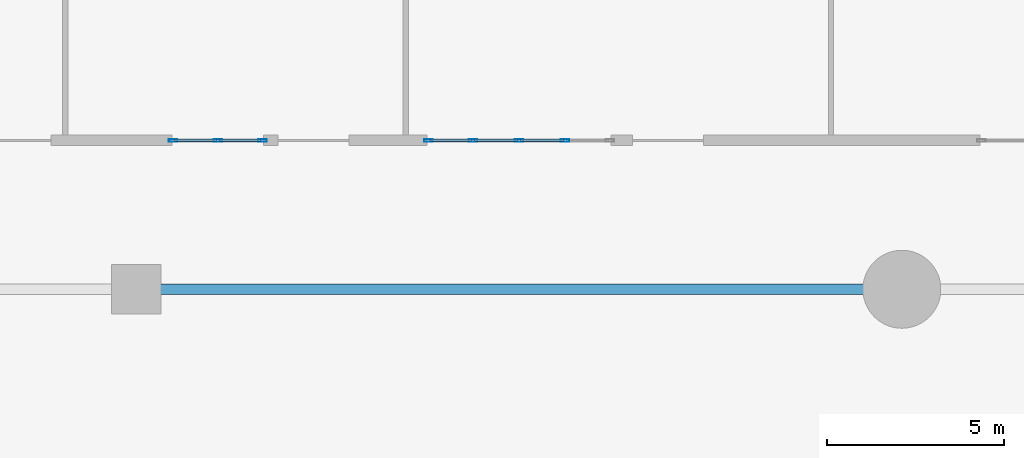
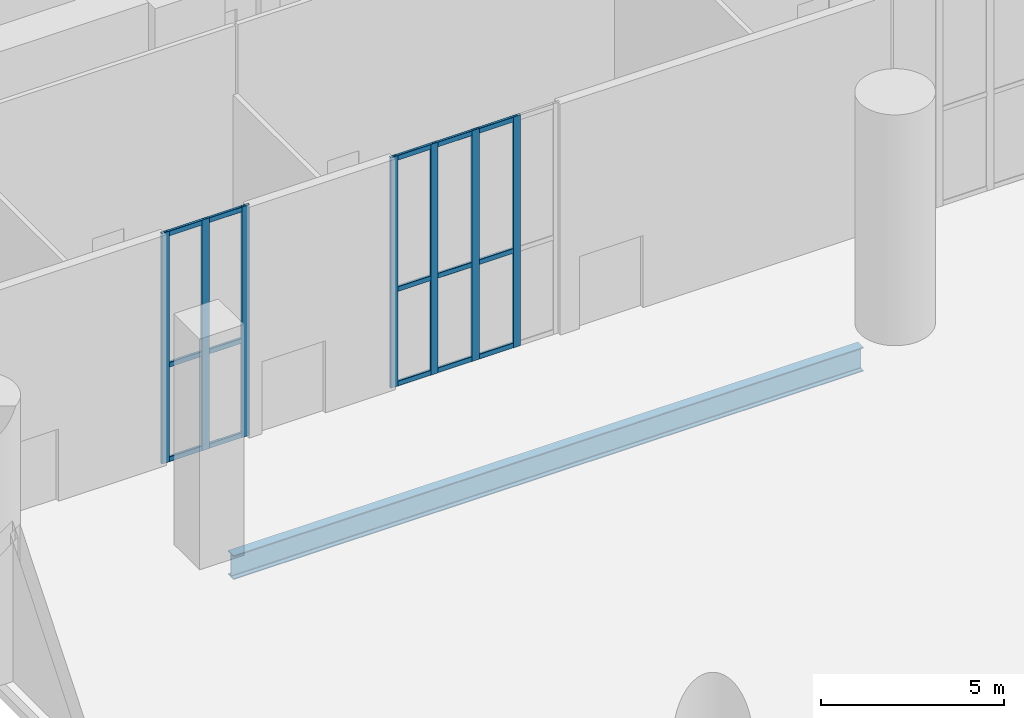
# One storey, part 2 of 17: 22 members, 1 beam, 2 elements without a shape of their own.
"""IFC4 building model written with IfcOpenShell, lengths in metres."""

from ifc_helpers import new_model, si_unit, direction, frame, origin, origin_2d, place, context, subcontext, project, spatial, hollow_rectangle, i_section, extrude, material, layer, layer_set, material_profile, profile_set, type_object, element, aggregate, save


model = new_model("IFC4")

# Units and contexts
model_context = context("Model", 3, precision=1e-05, world=origin(), true_north=direction((0.0, 1.0)))
body_context = subcontext(model_context, "Body", "Model", "MODEL_VIEW")
ifc_project = project(units=[si_unit("LENGTHUNIT", "METRE"), si_unit("AREAUNIT", "SQUARE_METRE"), si_unit("VOLUMEUNIT", "CUBIC_METRE"), si_unit("PLANEANGLEUNIT", "RADIAN"), si_unit("MASSUNIT", "GRAM", prefix="KILO")], contexts=[model_context])

# Site, building, storey
site_placement = place(None, origin())
site = spatial("IfcSite", under=ifc_project, at=site_placement, CompositionType="ELEMENT")
building_placement = place(site_placement, origin())
building = spatial("IfcBuilding", under=site, at=building_placement, Name="Kaelvorn Grand Hotel", CompositionType="ELEMENT")
storey_placement = place(building_placement, origin())
storey = spatial("IfcBuildingStorey", under=building, at=storey_placement, Name="L00", CompositionType="ELEMENT", Elevation=0.0)

# Beam
ifc_material_1 = material(Name="Steel S355", Category="steel")
ifc_material_profile_1 = material_profile(ifc_material_1, i_section(OverallWidth=0.300048828125, OverallDepth=0.800048828125, WebThickness=0.017578125, FlangeThickness=0.032958984375, FilletRadius=0.030029296875, at=origin_2d()), Name="HEB 800")
ifc_profile_set_1 = profile_set([ifc_material_profile_1], Name="Steel S355")
beam_type = type_object("IfcBeamType", Name="BM-G-HEB800-S355", PredefinedType="BEAM", material=ifc_profile_set_1)
beam_placement = place(storey_placement, frame((16.885009765625, 15.0, -0.75), z_axis=(1.0, 0.0, 0.0), x_axis=(0.0, 1.0, 0.0)))
element("IfcBeam", 1, at=beam_placement, inside=storey, type_object=beam_type, Name="L00 Primary Spine Steel Girder G-15 03", PredefinedType="BEAM", context=body_context, shape_type="SweptSolid", body=[
    extrude(i_section(OverallWidth=0.300048828125, OverallDepth=0.800048828125, WebThickness=0.017578125, FlangeThickness=0.032958984375, FilletRadius=0.030029296875, at=origin_2d()), origin(), (0.0, 0.0, 1.0), 19.830078125),
])

# Curtain wall, members
ifc_material_2 = material(Name="Anodised Aluminium", Category="aluminium")
ifc_layer = layer(ifc_material_2, 0.239990234375)
ifc_layer_set = layer_set([ifc_layer], Name="Anodised Aluminium")
curtain_wall_type = type_object("IfcCurtainWallType", Name="CW-SYS1", PredefinedType="NOTDEFINED", material=ifc_layer_set)
curtain_wall_1_placement = place(storey_placement, origin())
curtain_wall_1 = element("IfcCurtainWall", 2, at=curtain_wall_1_placement, inside=storey, type_object=curtain_wall_type, Name="L00 Unitised Curtain Wall CW1 (CW-L00-03)", PredefinedType="NOTDEFINED")
ifc_material_profile_2 = material_profile(ifc_material_2, hollow_rectangle(XDim=0.080078125, YDim=0.239990234375, WallThickness=0.0048828125, InnerFilletRadius=0.0048828125, OuterFilletRadius=0.010009765625, at=origin_2d()), Name="ALU MULL 80x240")
ifc_profile_set_2 = profile_set([ifc_material_profile_2], Name="Anodised Aluminium")
member_type_1 = type_object("IfcMemberType", Name="CW-SYS1-MULL", PredefinedType="MULLION", material=ifc_profile_set_2)
member_1_placement = place(storey_placement, frame((28.300048828125, 19.199951171875, 0.0), z_axis=(0.0, 0.0, 1.0), x_axis=(0.0, -1.0, 0.0)))
member_1 = element("IfcMember", 3, at=member_1_placement, type_object=member_type_1, Name="CW1 mullion 2", PredefinedType="MULLION", context=body_context, shape_type="SweptSolid", body=[
    extrude(hollow_rectangle(XDim=0.080078125, YDim=0.239990234375, WallThickness=0.0048828125, InnerFilletRadius=0.0048828125, OuterFilletRadius=0.010009765625, at=origin_2d()), origin(), (0.0, 0.0, 1.0), 7.679931640625),
])
member_2_placement = place(storey_placement, frame((27.0, 19.199951171875, 0.0), z_axis=(0.0, 0.0, 1.0), x_axis=(0.0, -1.0, 0.0)))
member_2 = element("IfcMember", 4, at=member_2_placement, type_object=member_type_1, Name="CW1 mullion 3", PredefinedType="MULLION", context=body_context, shape_type="SweptSolid", body=[
    extrude(hollow_rectangle(XDim=0.080078125, YDim=0.239990234375, WallThickness=0.0048828125, InnerFilletRadius=0.0048828125, OuterFilletRadius=0.010009765625, at=origin_2d()), origin(), (0.0, 0.0, 1.0), 7.679931640625),
])
member_3_placement = place(storey_placement, frame((25.699951171875, 19.199951171875, 0.0), z_axis=(0.0, 0.0, 1.0), x_axis=(0.0, -1.0, 0.0)))
member_3 = element("IfcMember", 5, at=member_3_placement, type_object=member_type_1, Name="CW1 mullion 4", PredefinedType="MULLION", context=body_context, shape_type="SweptSolid", body=[
    extrude(hollow_rectangle(XDim=0.080078125, YDim=0.239990234375, WallThickness=0.0048828125, InnerFilletRadius=0.0048828125, OuterFilletRadius=0.010009765625, at=origin_2d()), origin(), (0.0, 0.0, 1.0), 7.679931640625),
])
member_4_placement = place(storey_placement, frame((24.43994140625, 19.199951171875, 0.0), z_axis=(0.0, 0.0, 1.0), x_axis=(0.0, -1.0, 0.0)))
member_4 = element("IfcMember", 6, at=member_4_placement, type_object=member_type_1, Name="CW1 mullion 5", PredefinedType="MULLION", context=body_context, shape_type="SweptSolid", body=[
    extrude(hollow_rectangle(XDim=0.080078125, YDim=0.239990234375, WallThickness=0.0048828125, InnerFilletRadius=0.0048828125, OuterFilletRadius=0.010009765625, at=origin_2d()), origin(), (0.0, 0.0, 1.0), 7.679931640625),
])

curtain_wall_2_placement = place(storey_placement, origin())
curtain_wall_2 = element("IfcCurtainWall", 7, at=curtain_wall_2_placement, inside=storey, type_object=curtain_wall_type, Name="L00 Unitised Curtain Wall CW1 (CW-L00-04)", PredefinedType="NOTDEFINED")
member_5_placement = place(storey_placement, frame((19.760009765625, 19.199951171875, 0.0), z_axis=(0.0, 0.0, 1.0), x_axis=(0.0, -1.0, 0.0)))
member_5 = element("IfcMember", 8, at=member_5_placement, type_object=member_type_1, Name="CW1 mullion 1", PredefinedType="MULLION", context=body_context, shape_type="SweptSolid", body=[
    extrude(hollow_rectangle(XDim=0.080078125, YDim=0.239990234375, WallThickness=0.0048828125, InnerFilletRadius=0.0048828125, OuterFilletRadius=0.010009765625, at=origin_2d()), origin(), (0.0, 0.0, 1.0), 7.679931640625),
])
member_6_placement = place(storey_placement, frame((18.5, 19.199951171875, 0.0), z_axis=(0.0, 0.0, 1.0), x_axis=(0.0, -1.0, 0.0)))
member_6 = element("IfcMember", 9, at=member_6_placement, type_object=member_type_1, Name="CW1 mullion 2", PredefinedType="MULLION", context=body_context, shape_type="SweptSolid", body=[
    extrude(hollow_rectangle(XDim=0.080078125, YDim=0.239990234375, WallThickness=0.0048828125, InnerFilletRadius=0.0048828125, OuterFilletRadius=0.010009765625, at=origin_2d()), origin(), (0.0, 0.0, 1.0), 7.679931640625),
])
member_7_placement = place(storey_placement, frame((17.239990234375, 19.199951171875, 0.0), z_axis=(0.0, 0.0, 1.0), x_axis=(0.0, -1.0, 0.0)))
member_7 = element("IfcMember", 10, at=member_7_placement, type_object=member_type_1, Name="CW1 mullion 3", PredefinedType="MULLION", context=body_context, shape_type="SweptSolid", body=[
    extrude(hollow_rectangle(XDim=0.080078125, YDim=0.239990234375, WallThickness=0.0048828125, InnerFilletRadius=0.0048828125, OuterFilletRadius=0.010009765625, at=origin_2d()), origin(), (0.0, 0.0, 1.0), 7.679931640625),
])

# Member
ifc_material_profile_3 = material_profile(ifc_material_2, hollow_rectangle(XDim=0.080078125, YDim=0.1650390625, WallThickness=0.00439453125, InnerFilletRadius=0.00439453125, OuterFilletRadius=0.009033203125, at=origin_2d()), Name="ALU TRAN 80x165")
ifc_profile_set_3 = profile_set([ifc_material_profile_3], Name="Anodised Aluminium")
member_type_2 = type_object("IfcMemberType", Name="CW-SYS1-TRAN", PredefinedType="NOTDEFINED", material=ifc_profile_set_3)
member_8_placement = place(storey_placement, frame((28.260009765625, 19.199951171875, 0.08251953125), z_axis=(-1.0, 0.0, 0.0), x_axis=(0.0, -1.0, 0.0)))
member_8 = element("IfcMember", 11, at=member_8_placement, type_object=member_type_2, Name="CW1 transom 2.1", ObjectType="TRANSOM", PredefinedType="USERDEFINED", context=body_context, shape_type="SweptSolid", body=[
    extrude(hollow_rectangle(XDim=0.080078125, YDim=0.1650390625, WallThickness=0.00439453125, InnerFilletRadius=0.00439453125, OuterFilletRadius=0.009033203125, at=origin_2d()), origin(), (0.0, 0.0, 1.0), 1.219970703125),
])

member_9_placement = place(storey_placement, frame((28.260009765625, 19.199951171875, 3.2255859375), z_axis=(-1.0, 0.0, 0.0), x_axis=(0.0, -1.0, 0.0)))
member_9 = element("IfcMember", 12, at=member_9_placement, type_object=member_type_2, Name="CW1 transom 2.2", ObjectType="TRANSOM", PredefinedType="USERDEFINED", context=body_context, shape_type="SweptSolid", body=[
    extrude(hollow_rectangle(XDim=0.080078125, YDim=0.1650390625, WallThickness=0.00439453125, InnerFilletRadius=0.00439453125, OuterFilletRadius=0.009033203125, at=origin_2d()), origin(), (0.0, 0.0, 1.0), 1.219970703125),
])

member_10_placement = place(storey_placement, frame((28.260009765625, 19.199951171875, 7.597412109375), z_axis=(-1.0, 0.0, 0.0), x_axis=(0.0, -1.0, 0.0)))
member_10 = element("IfcMember", 13, at=member_10_placement, type_object=member_type_2, Name="CW1 transom 2.3", ObjectType="TRANSOM", PredefinedType="USERDEFINED", context=body_context, shape_type="SweptSolid", body=[
    extrude(hollow_rectangle(XDim=0.080078125, YDim=0.1650390625, WallThickness=0.00439453125, InnerFilletRadius=0.00439453125, OuterFilletRadius=0.009033203125, at=origin_2d()), origin(), (0.0, 0.0, 1.0), 1.219970703125),
])

member_11_placement = place(storey_placement, frame((26.9599609375, 19.199951171875, 0.08251953125), z_axis=(-1.0, 0.0, 0.0), x_axis=(0.0, -1.0, 0.0)))
member_11 = element("IfcMember", 14, at=member_11_placement, type_object=member_type_2, Name="CW1 transom 3.1", ObjectType="TRANSOM", PredefinedType="USERDEFINED", context=body_context, shape_type="SweptSolid", body=[
    extrude(hollow_rectangle(XDim=0.080078125, YDim=0.1650390625, WallThickness=0.00439453125, InnerFilletRadius=0.00439453125, OuterFilletRadius=0.009033203125, at=origin_2d()), origin(), (0.0, 0.0, 1.0), 1.219970703125),
])

member_12_placement = place(storey_placement, frame((26.9599609375, 19.199951171875, 3.2255859375), z_axis=(-1.0, 0.0, 0.0), x_axis=(0.0, -1.0, 0.0)))
member_12 = element("IfcMember", 15, at=member_12_placement, type_object=member_type_2, Name="CW1 transom 3.2", ObjectType="TRANSOM", PredefinedType="USERDEFINED", context=body_context, shape_type="SweptSolid", body=[
    extrude(hollow_rectangle(XDim=0.080078125, YDim=0.1650390625, WallThickness=0.00439453125, InnerFilletRadius=0.00439453125, OuterFilletRadius=0.009033203125, at=origin_2d()), origin(), (0.0, 0.0, 1.0), 1.219970703125),
])

member_13_placement = place(storey_placement, frame((26.9599609375, 19.199951171875, 7.597412109375), z_axis=(-1.0, 0.0, 0.0), x_axis=(0.0, -1.0, 0.0)))
member_13 = element("IfcMember", 16, at=member_13_placement, type_object=member_type_2, Name="CW1 transom 3.3", ObjectType="TRANSOM", PredefinedType="USERDEFINED", context=body_context, shape_type="SweptSolid", body=[
    extrude(hollow_rectangle(XDim=0.080078125, YDim=0.1650390625, WallThickness=0.00439453125, InnerFilletRadius=0.00439453125, OuterFilletRadius=0.009033203125, at=origin_2d()), origin(), (0.0, 0.0, 1.0), 1.219970703125),
])

member_14_placement = place(storey_placement, frame((25.659912109375, 19.199951171875, 0.08251953125), z_axis=(-1.0, 0.0, 0.0), x_axis=(0.0, -1.0, 0.0)))
member_14 = element("IfcMember", 17, at=member_14_placement, type_object=member_type_2, Name="CW1 transom 4.1", ObjectType="TRANSOM", PredefinedType="USERDEFINED", context=body_context, shape_type="SweptSolid", body=[
    extrude(hollow_rectangle(XDim=0.080078125, YDim=0.1650390625, WallThickness=0.00439453125, InnerFilletRadius=0.00439453125, OuterFilletRadius=0.009033203125, at=origin_2d()), origin(), (0.0, 0.0, 1.0), 1.179931640625),
])

member_15_placement = place(storey_placement, frame((25.659912109375, 19.199951171875, 3.2255859375), z_axis=(-1.0, 0.0, 0.0), x_axis=(0.0, -1.0, 0.0)))
member_15 = element("IfcMember", 18, at=member_15_placement, type_object=member_type_2, Name="CW1 transom 4.2", ObjectType="TRANSOM", PredefinedType="USERDEFINED", context=body_context, shape_type="SweptSolid", body=[
    extrude(hollow_rectangle(XDim=0.080078125, YDim=0.1650390625, WallThickness=0.00439453125, InnerFilletRadius=0.00439453125, OuterFilletRadius=0.009033203125, at=origin_2d()), origin(), (0.0, 0.0, 1.0), 1.179931640625),
])

member_16_placement = place(storey_placement, frame((25.659912109375, 19.199951171875, 7.597412109375), z_axis=(-1.0, 0.0, 0.0), x_axis=(0.0, -1.0, 0.0)))
member_16 = element("IfcMember", 19, at=member_16_placement, type_object=member_type_2, Name="CW1 transom 4.3", ObjectType="TRANSOM", PredefinedType="USERDEFINED", context=body_context, shape_type="SweptSolid", body=[
    extrude(hollow_rectangle(XDim=0.080078125, YDim=0.1650390625, WallThickness=0.00439453125, InnerFilletRadius=0.00439453125, OuterFilletRadius=0.009033203125, at=origin_2d()), origin(), (0.0, 0.0, 1.0), 1.179931640625),
])

aggregate(curtain_wall_1, [member_1, member_2, member_3, member_4, member_8, member_9, member_10, member_11, member_12, member_13, member_14, member_15, member_16])

member_17_placement = place(storey_placement, frame((19.719970703125, 19.199951171875, 0.08251953125), z_axis=(-1.0, 0.0, 0.0), x_axis=(0.0, -1.0, 0.0)))
member_17 = element("IfcMember", 20, at=member_17_placement, type_object=member_type_2, Name="CW1 transom 1.1", ObjectType="TRANSOM", PredefinedType="USERDEFINED", context=body_context, shape_type="SweptSolid", body=[
    extrude(hollow_rectangle(XDim=0.080078125, YDim=0.1650390625, WallThickness=0.00439453125, InnerFilletRadius=0.00439453125, OuterFilletRadius=0.009033203125, at=origin_2d()), origin(), (0.0, 0.0, 1.0), 1.179931640625),
])

member_18_placement = place(storey_placement, frame((19.719970703125, 19.199951171875, 3.2255859375), z_axis=(-1.0, 0.0, 0.0), x_axis=(0.0, -1.0, 0.0)))
member_18 = element("IfcMember", 21, at=member_18_placement, type_object=member_type_2, Name="CW1 transom 1.2", ObjectType="TRANSOM", PredefinedType="USERDEFINED", context=body_context, shape_type="SweptSolid", body=[
    extrude(hollow_rectangle(XDim=0.080078125, YDim=0.1650390625, WallThickness=0.00439453125, InnerFilletRadius=0.00439453125, OuterFilletRadius=0.009033203125, at=origin_2d()), origin(), (0.0, 0.0, 1.0), 1.179931640625),
])

member_19_placement = place(storey_placement, frame((19.719970703125, 19.199951171875, 7.597412109375), z_axis=(-1.0, 0.0, 0.0), x_axis=(0.0, -1.0, 0.0)))
member_19 = element("IfcMember", 22, at=member_19_placement, type_object=member_type_2, Name="CW1 transom 1.3", ObjectType="TRANSOM", PredefinedType="USERDEFINED", context=body_context, shape_type="SweptSolid", body=[
    extrude(hollow_rectangle(XDim=0.080078125, YDim=0.1650390625, WallThickness=0.00439453125, InnerFilletRadius=0.00439453125, OuterFilletRadius=0.009033203125, at=origin_2d()), origin(), (0.0, 0.0, 1.0), 1.179931640625),
])

member_20_placement = place(storey_placement, frame((18.4599609375, 19.199951171875, 0.08251953125), z_axis=(-1.0, 0.0, 0.0), x_axis=(0.0, -1.0, 0.0)))
member_20 = element("IfcMember", 23, at=member_20_placement, type_object=member_type_2, Name="CW1 transom 2.1", ObjectType="TRANSOM", PredefinedType="USERDEFINED", context=body_context, shape_type="SweptSolid", body=[
    extrude(hollow_rectangle(XDim=0.080078125, YDim=0.1650390625, WallThickness=0.00439453125, InnerFilletRadius=0.00439453125, OuterFilletRadius=0.009033203125, at=origin_2d()), origin(), (0.0, 0.0, 1.0), 1.179931640625),
])

member_21_placement = place(storey_placement, frame((18.4599609375, 19.199951171875, 3.2255859375), z_axis=(-1.0, 0.0, 0.0), x_axis=(0.0, -1.0, 0.0)))
member_21 = element("IfcMember", 24, at=member_21_placement, type_object=member_type_2, Name="CW1 transom 2.2", ObjectType="TRANSOM", PredefinedType="USERDEFINED", context=body_context, shape_type="SweptSolid", body=[
    extrude(hollow_rectangle(XDim=0.080078125, YDim=0.1650390625, WallThickness=0.00439453125, InnerFilletRadius=0.00439453125, OuterFilletRadius=0.009033203125, at=origin_2d()), origin(), (0.0, 0.0, 1.0), 1.179931640625),
])

member_22_placement = place(storey_placement, frame((18.4599609375, 19.199951171875, 7.597412109375), z_axis=(-1.0, 0.0, 0.0), x_axis=(0.0, -1.0, 0.0)))
member_22 = element("IfcMember", 25, at=member_22_placement, type_object=member_type_2, Name="CW1 transom 2.3", ObjectType="TRANSOM", PredefinedType="USERDEFINED", context=body_context, shape_type="SweptSolid", body=[
    extrude(hollow_rectangle(XDim=0.080078125, YDim=0.1650390625, WallThickness=0.00439453125, InnerFilletRadius=0.00439453125, OuterFilletRadius=0.009033203125, at=origin_2d()), origin(), (0.0, 0.0, 1.0), 1.179931640625),
])

aggregate(curtain_wall_2, [member_5, member_6, member_7, member_17, member_18, member_19, member_20, member_21, member_22])

save(model, "model.ifc")
